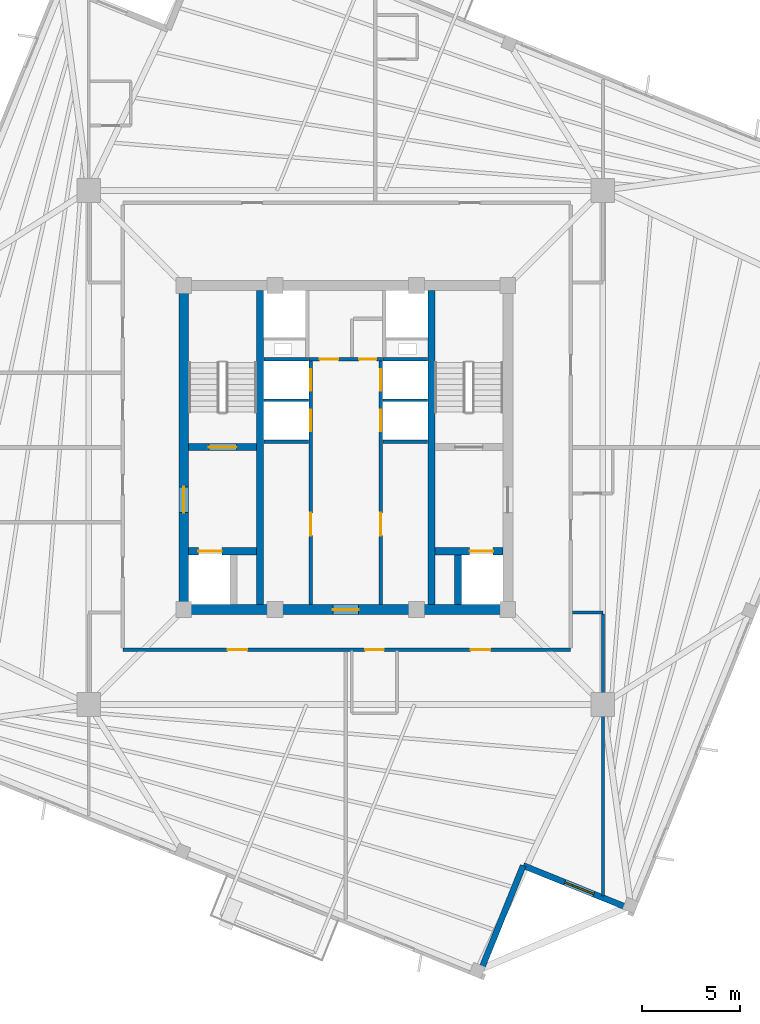
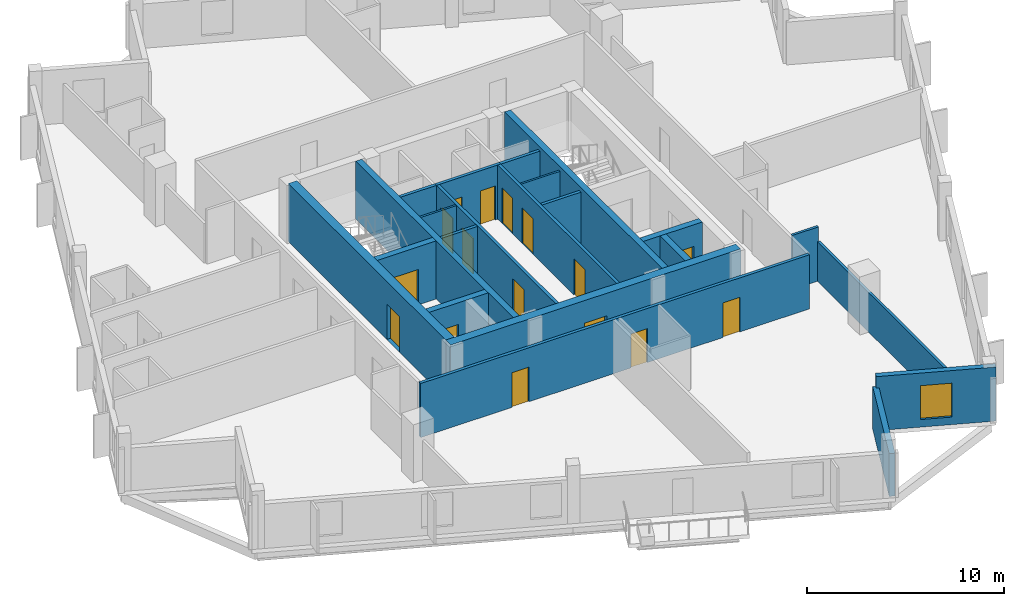
# One storey, part 3 of 8: 22 walls, 16 doors, 1 window, 17 openings.
"""IFC4 building model written with IfcOpenShell, lengths in metres."""

from ifc_helpers import new_model, si_unit, direction, frame, frame_2d, origin, place, context, subcontext, project, spatial, rectangle, extrude, source, transform, mapped, material, layer, layer_set, type_object, element, fill, save


model = new_model("IFC4")

# Units and contexts
model_context = context("Model", 3, precision=1e-05, world=origin(), true_north=direction((0.0, 1.0)))
body_context = subcontext(model_context, "Body", "Model", "MODEL_VIEW")
ifc_project = project(units=[si_unit("LENGTHUNIT", "METRE"), si_unit("AREAUNIT", "SQUARE_METRE"), si_unit("VOLUMEUNIT", "CUBIC_METRE"), si_unit("PLANEANGLEUNIT", "RADIAN"), si_unit("MASSUNIT", "GRAM", prefix="KILO"), si_unit("THERMODYNAMICTEMPERATUREUNIT", "KELVIN")], contexts=[model_context])

# Site, building, storey
site_placement = place(None, origin())
site = spatial("IfcSite", under=ifc_project, at=site_placement, CompositionType="ELEMENT")
building_placement = place(site_placement, origin())
building = spatial("IfcBuilding", under=site, at=building_placement, Name="Kosmvard Interchange Tower", CompositionType="ELEMENT")
storey_placement = place(building_placement, frame((0.0, 0.0, 286.800048828125)))
storey = spatial("IfcBuildingStorey", under=building, at=storey_placement, Name="L70", CompositionType="ELEMENT", Elevation=286.800048828125)

# Walls
ifc_material_1 = material(Name="Acoustic gypsum partition system")
ifc_layer_1 = layer(ifc_material_1, 0.14990234375, Name="Acoustic gypsum partition system")
ifc_layer_set_1 = layer_set([ifc_layer_1], Name="Acoustic gypsum partition system")
wall_type_1 = type_object("IfcWallType", Name="Acoustic Suite & Meeting Partition 150", PredefinedType="PARTITIONING", material=ifc_layer_set_1)
wall_1_placement = place(storey_placement, frame((11.544921875, -8.39990234375, 0.0), z_axis=(0.0, 0.0, 1.0), x_axis=(1.0, 0.0, 0.0)))
element("IfcWall", 1, at=wall_1_placement, inside=storey, type_object=wall_type_1, Name="L70 Room Partition 11.1", PredefinedType="PARTITIONING", context=body_context, shape_type="SweptSolid", body=[
    extrude(rectangle(XDim=1.5361328125, YDim=0.14990234375, at=frame_2d((0.76806640625, 0.0))), origin(), (0.0, 0.0, 1.0), 3.349853515625),
])
wall_2_placement = place(storey_placement, frame((13.0810546875, -8.47509765625, 0.0), z_axis=(0.0, 0.0, 1.0), x_axis=(0.0, -1.0, 0.0)))
element("IfcWall", 2, at=wall_2_placement, inside=storey, type_object=wall_type_1, Name="L70 Room Partition 12.1", PredefinedType="PARTITIONING", context=body_context, shape_type="SweptSolid", body=[
    extrude(rectangle(XDim=14.341552734375, YDim=0.14990234375, at=frame_2d((7.1708984375, 0.0))), origin(), (0.0, 0.0, 1.0), 2.449951171875),
])

# Wall, openings, doors
ifc_material_2 = material(Name="Fire-rated gypsum partition system")
ifc_layer_2 = layer(ifc_material_2, 0.179931640625, Name="Fire-rated gypsum partition system")
ifc_layer_set_2 = layer_set([ifc_layer_2], Name="Fire-rated gypsum partition system")
wall_type_2 = type_object("IfcWallType", Name="Corridor & Hotel Compartment Partition 180", PredefinedType="PARTITIONING", material=ifc_layer_set_2)
wall_3_placement = place(storey_placement, frame((-1.7900390625, -7.97998046875, 0.0), z_axis=(0.0, 0.0, 1.0), x_axis=(0.0, 1.0, 0.0)))
wall_3 = element("IfcWall", 3, at=wall_3_placement, inside=storey, type_object=wall_type_2, Name="L70 West Lift Bank Front Wall", PredefinedType="PARTITIONING", context=body_context, shape_type="SweptSolid", body=[
    extrude(rectangle(XDim=12.3798828125, YDim=0.179931640625, at=frame_2d((6.18994140625, 0.0))), origin(), (0.0, 0.0, 1.0), 3.349853515625),
])
opening_1_placement = place(wall_3_placement, frame((8.800048828125, 0.0, 0.0)))
opening_1 = element("IfcOpeningElement", 4, at=opening_1_placement, cuts=wall_3, Name="Opening LD-PL-H1-L70", PredefinedType="OPENING", context=body_context, shape_type="SweptSolid", body=[
    extrude(rectangle(XDim=1.10009765625, YDim=2.199951171875, at=frame_2d((0.550048828125, 1.10009765625))), frame((0.0, 0.10009765625, 0.0), z_axis=(0.0, -1.0, 0.0), x_axis=(1.0, 0.0, 0.0)), (0.0, 0.0, 1.0), 0.199951171875),
])
opening_2_placement = place(wall_3_placement, frame((10.860107421875, 0.0, 0.0)))
opening_2 = element("IfcOpeningElement", 5, at=opening_2_placement, cuts=wall_3, Name="Opening LD-PL-H2-L70", PredefinedType="OPENING", context=body_context, shape_type="SweptSolid", body=[
    extrude(rectangle(XDim=1.10009765625, YDim=2.199951171875, at=frame_2d((0.550048828125, 1.10009765625))), frame((0.0, 0.10009765625, 0.0), z_axis=(0.0, -1.0, 0.0), x_axis=(1.0, 0.0, 0.0)), (0.0, 0.0, 1.0), 0.199951171875),
])
opening_3_placement = place(wall_3_placement, frame((3.5, 0.0, 0.0)))
opening_3 = element("IfcOpeningElement", 6, at=opening_3_placement, cuts=wall_3, Name="Opening L70-CD1", PredefinedType="OPENING", context=body_context, shape_type="SweptSolid", body=[
    extrude(rectangle(XDim=1.14990234375, YDim=2.25, at=frame_2d((0.574951171875, 1.125))), frame((0.0, 0.10009765625, 0.0), z_axis=(0.0, -1.0, 0.0), x_axis=(1.0, 0.0, 0.0)), (0.0, 0.0, 1.0), 0.199951171875),
])
ifc_material_3 = material(Name="Painted fire-rated steel leaf", Category="steel")
door_type_1 = type_object("IfcDoorType", Name="Plant & Riser Fire Door 1150x2250 EI60", OperationType="NOTDEFINED", PredefinedType="DOOR", material=ifc_material_3)
shared_shape_1 = source(origin(), body_context, "Body", "SweptSolid", [
    extrude(rectangle(XDim=1.14990234375, YDim=2.25, at=frame_2d((0.574951171875, 1.125))), frame((0.0, 0.02490234375, 0.0), z_axis=(0.0, -1.0, 0.0), x_axis=(1.0, 0.0, 0.0)), (0.0, 0.0, 1.0), 0.050048828125),
])
door_1_placement = place(opening_3_placement, origin())
door_1 = element("IfcDoor", 7, at=door_1_placement, inside=storey, type_object=door_type_1, Name="L70 Core Facility Store Door", OperationType="SINGLE_SWING_LEFT", OverallHeight=2.25, OverallWidth=1.14990234375, PredefinedType="DOOR", context=body_context, shape_type="MappedRepresentation", body=[
    mapped(shared_shape_1, transform((0.0, 0.0, 0.0), scale=1.0)),
])
fill(opening_3, door_1)
ifc_material_4 = material(Name="Brushed stainless steel sliding leaf", Category="steel")
door_type_2 = type_object("IfcDoorType", Name="Passenger Lift Sliding Landing Door 1100x2200 EI60", OperationType="DOUBLE_DOOR_SLIDING", PredefinedType="DOOR", material=ifc_material_4)
shared_shape_2 = source(origin(), body_context, "Body", "SweptSolid", [
    extrude(rectangle(XDim=1.10009765625, YDim=2.199951171875, at=frame_2d((0.550048828125, 1.10009765625))), frame((0.0, 0.02490234375, 0.0), z_axis=(0.0, -1.0, 0.0), x_axis=(1.0, 0.0, 0.0)), (0.0, 0.0, 1.0), 0.050048828125),
])
door_2_placement = place(opening_1_placement, frame((1.10009765625, 0.0, 0.0), z_axis=(0.0, 0.0, 1.0), x_axis=(-1.0, 0.0, 0.0)))
door_2 = element("IfcDoor", 8, at=door_2_placement, inside=storey, type_object=door_type_2, Name="Lift PL-H1 Landing Door L70", OperationType="DOUBLE_DOOR_SLIDING", OverallHeight=2.199951171875, OverallWidth=1.10009765625, PredefinedType="DOOR", context=body_context, shape_type="MappedRepresentation", body=[
    mapped(shared_shape_2, transform((0.0, 0.0, 0.0), scale=1.0)),
])
fill(opening_1, door_2)
door_3_placement = place(opening_2_placement, frame((1.10009765625, 0.0, 0.0), z_axis=(0.0, 0.0, 1.0), x_axis=(-1.0, 0.0, 0.0)))
door_3 = element("IfcDoor", 9, at=door_3_placement, inside=storey, type_object=door_type_2, Name="Lift PL-H2 Landing Door L70", OperationType="DOUBLE_DOOR_SLIDING", OverallHeight=2.199951171875, OverallWidth=1.10009765625, PredefinedType="DOOR", context=body_context, shape_type="MappedRepresentation", body=[
    mapped(shared_shape_2, transform((0.0, 0.0, 0.0), scale=1.0)),
])
fill(opening_2, door_3)

wall_4_placement = place(storey_placement, frame((1.7900390625, -7.97998046875, 0.0), z_axis=(0.0, 0.0, 1.0), x_axis=(0.0, 1.0, 0.0)))
wall_4 = element("IfcWall", 10, at=wall_4_placement, inside=storey, type_object=wall_type_2, Name="L70 East Lift Bank Front Wall", PredefinedType="PARTITIONING", context=body_context, shape_type="SweptSolid", body=[
    extrude(rectangle(XDim=12.3798828125, YDim=0.179931640625, at=frame_2d((6.18994140625, 0.0))), origin(), (0.0, 0.0, 1.0), 3.349853515625),
])
opening_4_placement = place(wall_4_placement, frame((8.800048828125, 0.0, 0.0)))
opening_4 = element("IfcOpeningElement", 11, at=opening_4_placement, cuts=wall_4, Name="Opening LD-PL-H3-L70", PredefinedType="OPENING", context=body_context, shape_type="SweptSolid", body=[
    extrude(rectangle(XDim=1.10009765625, YDim=2.199951171875, at=frame_2d((0.550048828125, 1.10009765625))), frame((0.0, 0.10009765625, 0.0), z_axis=(0.0, -1.0, 0.0), x_axis=(1.0, 0.0, 0.0)), (0.0, 0.0, 1.0), 0.199951171875),
])
opening_5_placement = place(wall_4_placement, frame((10.860107421875, 0.0, 0.0)))
opening_5 = element("IfcOpeningElement", 12, at=opening_5_placement, cuts=wall_4, Name="Opening LD-PL-H4-L70", PredefinedType="OPENING", context=body_context, shape_type="SweptSolid", body=[
    extrude(rectangle(XDim=1.10009765625, YDim=2.199951171875, at=frame_2d((0.550048828125, 1.10009765625))), frame((0.0, 0.10009765625, 0.0), z_axis=(0.0, -1.0, 0.0), x_axis=(1.0, 0.0, 0.0)), (0.0, 0.0, 1.0), 0.199951171875),
])
opening_6_placement = place(wall_4_placement, frame((3.5, 0.0, 0.0)))
opening_6 = element("IfcOpeningElement", 13, at=opening_6_placement, cuts=wall_4, Name="Opening L70-CD2", PredefinedType="OPENING", context=body_context, shape_type="SweptSolid", body=[
    extrude(rectangle(XDim=1.14990234375, YDim=2.25, at=frame_2d((0.574951171875, 1.125))), frame((0.0, 0.10009765625, 0.0), z_axis=(0.0, -1.0, 0.0), x_axis=(1.0, 0.0, 0.0)), (0.0, 0.0, 1.0), 0.199951171875),
])
door_4_placement = place(opening_6_placement, frame((1.14990234375, 0.0, 0.0), z_axis=(0.0, 0.0, 1.0), x_axis=(-1.0, 0.0, 0.0)))
door_4 = element("IfcDoor", 14, at=door_4_placement, inside=storey, type_object=door_type_1, Name="L70 Core BMS UPS Door", OperationType="SINGLE_SWING_RIGHT", OverallHeight=2.25, OverallWidth=1.14990234375, PredefinedType="DOOR", context=body_context, shape_type="MappedRepresentation", body=[
    mapped(shared_shape_1, transform((0.0, 0.0, 0.0), scale=1.0)),
])
fill(opening_6, door_4)
door_5_placement = place(opening_4_placement, origin())
door_5 = element("IfcDoor", 15, at=door_5_placement, inside=storey, type_object=door_type_2, Name="Lift PL-H3 Landing Door L70", OperationType="DOUBLE_DOOR_SLIDING", OverallHeight=2.199951171875, OverallWidth=1.10009765625, PredefinedType="DOOR", context=body_context, shape_type="MappedRepresentation", body=[
    mapped(shared_shape_2, transform((0.0, 0.0, 0.0), scale=1.0)),
])
fill(opening_4, door_5)
door_6_placement = place(opening_5_placement, origin())
door_6 = element("IfcDoor", 16, at=door_6_placement, inside=storey, type_object=door_type_2, Name="Lift PL-H4 Landing Door L70", OperationType="DOUBLE_DOOR_SLIDING", OverallHeight=2.199951171875, OverallWidth=1.10009765625, PredefinedType="DOOR", context=body_context, shape_type="MappedRepresentation", body=[
    mapped(shared_shape_2, transform((0.0, 0.0, 0.0), scale=1.0)),
])
fill(opening_5, door_6)

wall_5_placement = place(storey_placement, frame((-1.8798828125, 4.489990234375, 0.0), z_axis=(0.0, 0.0, 1.0), x_axis=(1.0, 0.0, 0.0)))
wall_5 = element("IfcWall", 17, at=wall_5_placement, inside=storey, type_object=wall_type_2, Name="L70 Lift Lobby North Partition", PredefinedType="PARTITIONING", context=body_context, shape_type="SweptSolid", body=[
    extrude(rectangle(XDim=3.759765625, YDim=0.179931640625, at=frame_2d((1.8798828125, 0.0))), origin(), (0.0, 0.0, 1.0), 3.349853515625),
])
opening_7_placement = place(wall_5_placement, frame((0.550048828125, 0.0, 0.0)))
opening_7 = element("IfcOpeningElement", 18, at=opening_7_placement, cuts=wall_5, Name="Opening L70-KD1", PredefinedType="OPENING", context=body_context, shape_type="SweptSolid", body=[
    extrude(rectangle(XDim=0.949951171875, YDim=2.10009765625, at=frame_2d((0.47509765625, 1.050048828125))), frame((0.0, 0.10009765625, 0.0), z_axis=(0.0, -1.0, 0.0), x_axis=(1.0, 0.0, 0.0)), (0.0, 0.0, 1.0), 0.199951171875),
])
opening_8_placement = place(wall_5_placement, frame((2.56005859375, 0.0, 0.0)))
opening_8 = element("IfcOpeningElement", 19, at=opening_8_placement, cuts=wall_5, Name="Opening L70-KD2", PredefinedType="OPENING", context=body_context, shape_type="SweptSolid", body=[
    extrude(rectangle(XDim=0.8798828125, YDim=2.10009765625, at=frame_2d((0.43994140625, 1.050048828125))), frame((0.0, 0.10009765625, 0.0), z_axis=(0.0, -1.0, 0.0), x_axis=(1.0, 0.0, 0.0)), (0.0, 0.0, 1.0), 0.199951171875),
])
ifc_material_5 = material(Name="Painted fire-rated timber leaf", Category="wood")
door_type_3 = type_object("IfcDoorType", Name="Core Service Fire Door 950x2100 EI30", OperationType="NOTDEFINED", PredefinedType="DOOR", material=ifc_material_5)
shared_shape_3 = source(origin(), body_context, "Body", "SweptSolid", [
    extrude(rectangle(XDim=0.949951171875, YDim=2.10009765625, at=frame_2d((0.47509765625, 1.050048828125))), frame((0.0, 0.02490234375, 0.0), z_axis=(0.0, -1.0, 0.0), x_axis=(1.0, 0.0, 0.0)), (0.0, 0.0, 1.0), 0.050048828125),
])
door_7_placement = place(opening_7_placement, origin())
door_7 = element("IfcDoor", 20, at=door_7_placement, inside=storey, type_object=door_type_3, Name="L70 Core Archive Store Door", OperationType="SINGLE_SWING_LEFT", OverallHeight=2.10009765625, OverallWidth=0.949951171875, PredefinedType="DOOR", context=body_context, shape_type="MappedRepresentation", body=[
    mapped(shared_shape_3, transform((0.0, 0.0, 0.0), scale=1.0)),
])
fill(opening_7, door_7)
door_type_4 = type_object("IfcDoorType", Name="Core Cupboard Fire Door 880x2100 EI30", OperationType="NOTDEFINED", PredefinedType="DOOR", material=ifc_material_5)
shared_shape_4 = source(origin(), body_context, "Body", "SweptSolid", [
    extrude(rectangle(XDim=0.8798828125, YDim=2.10009765625, at=frame_2d((0.43994140625, 1.050048828125))), frame((0.0, 0.02490234375, 0.0), z_axis=(0.0, -1.0, 0.0), x_axis=(1.0, 0.0, 0.0)), (0.0, 0.0, 1.0), 0.050048828125),
])
door_8_placement = place(opening_8_placement, origin())
door_8 = element("IfcDoor", 21, at=door_8_placement, inside=storey, type_object=door_type_4, Name="L70 Core Supplies Cupboard Door", OperationType="SINGLE_SWING_RIGHT", OverallHeight=2.10009765625, OverallWidth=0.8798828125, PredefinedType="DOOR", context=body_context, shape_type="MappedRepresentation", body=[
    mapped(shared_shape_4, transform((0.0, 0.0, 0.0), scale=1.0)),
])
fill(opening_8, door_8)

wall_6_placement = place(storey_placement, frame((-11.35009765625, -10.300048828125, 0.0), z_axis=(0.0, 0.0, 1.0), x_axis=(1.0, 0.0, 0.0)))
wall_6 = element("IfcWall", 22, at=wall_6_placement, inside=storey, type_object=wall_type_2, Name="L70 Corridor Wall CS", PredefinedType="PARTITIONING", context=body_context, shape_type="SweptSolid", body=[
    extrude(rectangle(XDim=22.800048828125, YDim=0.179931640625, at=frame_2d((11.39990234375, 0.0))), origin(), (0.0, 0.0, 1.0), 3.349853515625),
])
opening_9_placement = place(wall_6_placement, frame((12.336181640625, 0.0, 0.0)))
opening_9 = element("IfcOpeningElement", 23, at=opening_9_placement, cuts=wall_6, Name="Opening L70-D01", PredefinedType="OPENING", context=body_context, shape_type="SweptSolid", body=[
    extrude(rectangle(XDim=0.949951171875, YDim=2.10009765625, at=frame_2d((0.47509765625, 1.050048828125))), frame((0.0, 0.10009765625, 0.0), z_axis=(0.0, -1.0, 0.0), x_axis=(1.0, 0.0, 0.0)), (0.0, 0.0, 1.0), 0.199951171875),
])
opening_10_placement = place(wall_6_placement, frame((17.7099609375, 0.0, 0.0)))
opening_10 = element("IfcOpeningElement", 24, at=opening_10_placement, cuts=wall_6, Name="Opening L70-D13", PredefinedType="OPENING", context=body_context, shape_type="SweptSolid", body=[
    extrude(rectangle(XDim=1.0, YDim=2.14990234375, at=frame_2d((0.5, 1.074951171875))), frame((0.0, 0.10009765625, 0.0), z_axis=(0.0, -1.0, 0.0), x_axis=(1.0, 0.0, 0.0)), (0.0, 0.0, 1.0), 0.199951171875),
])
opening_11_placement = place(wall_6_placement, frame((5.33935546875, 0.0, 0.0)))
opening_11 = element("IfcOpeningElement", 25, at=opening_11_placement, cuts=wall_6, Name="Opening L70-D14", PredefinedType="OPENING", context=body_context, shape_type="SweptSolid", body=[
    extrude(rectangle(XDim=1.0, YDim=2.14990234375, at=frame_2d((0.5, 1.074951171875))), frame((0.0, 0.10009765625, 0.0), z_axis=(0.0, -1.0, 0.0), x_axis=(1.0, 0.0, 0.0)), (0.0, 0.0, 1.0), 0.199951171875),
])
ifc_material_6 = material(Name="Laminated moisture-resistant timber", Category="wood")
door_type_5 = type_object("IfcDoorType", Name="Accessible Washroom Door 950x2100", OperationType="NOTDEFINED", PredefinedType="DOOR", material=ifc_material_6)
door_9_placement = place(opening_9_placement, frame((0.949951171875, 0.0, 0.0), z_axis=(0.0, 0.0, 1.0), x_axis=(-1.0, 0.0, 0.0)))
door_9 = element("IfcDoor", 26, at=door_9_placement, inside=storey, type_object=door_type_5, Name="L70 Accessible Guest Toilet Door", OperationType="SINGLE_SWING_LEFT", OverallHeight=2.10009765625, OverallWidth=0.949951171875, PredefinedType="DOOR", context=body_context, shape_type="MappedRepresentation", body=[
    mapped(shared_shape_3, transform((0.0, 0.0, 0.0), scale=1.0)),
])
fill(opening_9, door_9)
ifc_material_7 = material(Name="Engineered oak fire-rated timber", Category="wood")
door_type_6 = type_object("IfcDoorType", Name="Hotel Guestroom Entrance Door 1000x2150 EI60", OperationType="NOTDEFINED", PredefinedType="DOOR", material=ifc_material_7)
shared_shape_5 = source(origin(), body_context, "Body", "SweptSolid", [
    extrude(rectangle(XDim=1.0, YDim=2.14990234375, at=frame_2d((0.5, 1.074951171875))), frame((0.0, 0.02490234375, 0.0), z_axis=(0.0, -1.0, 0.0), x_axis=(1.0, 0.0, 0.0)), (0.0, 0.0, 1.0), 0.050048828125),
])
door_10_placement = place(opening_10_placement, frame((1.0, 0.0, 0.0), z_axis=(0.0, 0.0, 1.0), x_axis=(-1.0, 0.0, 0.0)))
door_10 = element("IfcDoor", 27, at=door_10_placement, inside=storey, type_object=door_type_6, Name="L70 Housekeeping and Linen Room Door", OperationType="SINGLE_SWING_LEFT", OverallHeight=2.14990234375, OverallWidth=1.0, PredefinedType="DOOR", context=body_context, shape_type="MappedRepresentation", body=[
    mapped(shared_shape_5, transform((0.0, 0.0, 0.0), scale=1.0)),
])
fill(opening_10, door_10)
door_11_placement = place(opening_11_placement, frame((1.0, 0.0, 0.0), z_axis=(0.0, 0.0, 1.0), x_axis=(-1.0, 0.0, 0.0)))
door_11 = element("IfcDoor", 28, at=door_11_placement, inside=storey, type_object=door_type_6, Name="L70 Hotel Servery Pantry Door", OperationType="SINGLE_SWING_RIGHT", OverallHeight=2.14990234375, OverallWidth=1.0, PredefinedType="DOOR", context=body_context, shape_type="MappedRepresentation", body=[
    mapped(shared_shape_5, transform((0.0, 0.0, 0.0), scale=1.0)),
])
fill(opening_11, door_11)

# Walls
ifc_material_8 = material(Name="Concrete blockwork masonry", Category="masonry")
ifc_layer_3 = layer(ifc_material_8, 0.179931640625, Name="Concrete blockwork masonry")
ifc_layer_set_3 = layer_set([ifc_layer_3], Name="Concrete blockwork masonry")
wall_type_3 = type_object("IfcWallType", Name="Riser & Lift Bank Divider Wall 180", PredefinedType="PARTITIONING", material=ifc_layer_set_3)
for number, where, z_axis, x_axis, name in (
    (29, (-4.169921875, 0.300048828125, 0.0), (0.0, 0.0, 1.0), (1.0, 0.0, 0.0), "L70 West Bank Divider BD2"),
    (30, (1.889892578125, 0.300048828125, 0.0), (0.0, 0.0, 1.0), (1.0, 0.0, 0.0), "L70 East Bank Divider BD2"),
    (31, (-4.169921875, 4.489990234375, 0.0), (0.0, 0.0, 1.0), (1.0, 0.0, 0.0), "L70 West Bank Divider BD3"),
    (32, (1.889892578125, 4.489990234375, 0.0), (0.0, 0.0, 1.0), (1.0, 0.0, 0.0), "L70 East Bank Divider BD3"),
):
    element("IfcWall", number, at=place(storey_placement, frame(where, z_axis=z_axis, x_axis=x_axis)), inside=storey, type_object=wall_type_3, Name=name, PredefinedType="PARTITIONING", context=body_context, shape_type="SweptSolid", body=[
        extrude(rectangle(XDim=2.280029296875, YDim=0.179931640625, at=frame_2d((1.14013671875, 0.0))), origin(), (0.0, 0.0, 1.0), 3.349853515625),
    ])
ifc_material_9 = material(Name="Fire-rated gypsum shaftwall system")
ifc_layer_4 = layer(ifc_material_9, 0.1201171875, Name="Fire-rated gypsum shaftwall system")
ifc_layer_set_4 = layer_set([ifc_layer_4], Name="Fire-rated gypsum shaftwall system")
wall_type_4 = type_object("IfcWallType", Name="Shaft & Riser Fire Partition 120 EI60", PredefinedType="PARTITIONING", material=ifc_layer_set_4)
for number, where, z_axis, x_axis, name in (
    (33, (-4.159912109375, 2.39990234375, 0.0), (0.0, 0.0, 1.0), (1.0, 0.0, 0.0), "L70 Shaft Divider PL-H1"),
    (34, (1.89990234375, 2.39990234375, 0.0), (0.0, 0.0, 1.0), (1.0, 0.0, 0.0), "L70 Shaft Divider PL-H3"),
):
    element("IfcWall", number, at=place(storey_placement, frame(where, z_axis=z_axis, x_axis=x_axis)), inside=storey, type_object=wall_type_4, Name=name, PredefinedType="PARTITIONING", context=body_context, shape_type="SweptSolid", body=[
        extrude(rectangle(XDim=2.260009765625, YDim=0.1201171875, at=frame_2d((1.1298828125, 0.0))), origin(), (0.0, 0.0, 1.0), 3.349853515625),
    ])
ifc_material_10 = material(Name="Concrete C60/75", Category="concrete")
ifc_layer_5 = layer(ifc_material_10, 0.360107421875, Name="Concrete C60/75")
ifc_layer_set_5 = layer_set([ifc_layer_5], Name="Concrete C60/75")
wall_type_5 = type_object("IfcWallType", Name="Stair & Lift Shaft Shear Wall 360 C60/75", PredefinedType="SHEAR", material=ifc_layer_set_5)
for number, where, z_axis, x_axis, name in (
    (35, (-4.360107421875, -8.0, 0.0), (0.0, 0.0, 1.0), (0.0, 1.0, 0.0), "L70 Shaft Shear Wall SW-W"),
    (36, (4.360107421875, -8.0, 0.0), (0.0, 0.0, 1.0), (0.0, 1.0, 0.0), "L70 Shaft Shear Wall SW-E"),
):
    element("IfcWall", number, at=place(storey_placement, frame(where, z_axis=z_axis, x_axis=x_axis)), inside=storey, type_object=wall_type_5, Name=name, PredefinedType="SHEAR", context=body_context, shape_type="SweptSolid", body=[
        extrude(rectangle(XDim=16.0, YDim=0.360107421875, at=frame_2d((8.0, 0.0))), origin(), (0.0, 0.0, 1.0), 3.599853515625),
    ])

# Wall, opening, door
wall_7_placement = place(storey_placement, frame((-8.0, 0.02001953125, 0.0), z_axis=(0.0, 0.0, 1.0), x_axis=(1.0, 0.0, 0.0)))
wall_7 = element("IfcWall", 37, at=wall_7_placement, inside=storey, type_object=wall_type_5, Name="L70 Shaft Shear Wall SW-ST1", PredefinedType="SHEAR", context=body_context, shape_type="SweptSolid", body=[
    extrude(rectangle(XDim=3.4599609375, YDim=0.360107421875, at=frame_2d((1.72998046875, 0.0))), origin(), (0.0, 0.0, 1.0), 3.599853515625),
])
opening_12_placement = place(wall_7_placement, frame((1.030029296875, 0.0, 0.0)))
opening_12 = element("IfcOpeningElement", 38, at=opening_12_placement, cuts=wall_7, Name="Opening L70-SD1", PredefinedType="OPENING", context=body_context, shape_type="SweptSolid", body=[
    extrude(rectangle(XDim=1.39990234375, YDim=2.199951171875, at=frame_2d((0.699951171875, 1.10009765625))), frame((0.0, 0.18994140625, 0.0), z_axis=(0.0, -1.0, 0.0), x_axis=(1.0, 0.0, 0.0)), (0.0, 0.0, 1.0), 0.380126953125),
])
door_type_7 = type_object("IfcDoorType", Name="Protected Stair Door 1400x2200 FD60S", OperationType="NOTDEFINED", PredefinedType="DOOR", material=ifc_material_3)
shared_shape_6 = source(origin(), body_context, "Body", "SweptSolid", [
    extrude(rectangle(XDim=1.39990234375, YDim=2.199951171875, at=frame_2d((0.699951171875, 1.10009765625))), frame((0.0, 0.02490234375, 0.0), z_axis=(0.0, -1.0, 0.0), x_axis=(1.0, 0.0, 0.0)), (0.0, 0.0, 1.0), 0.050048828125),
])
door_12_placement = place(opening_12_placement, origin())
door_12 = element("IfcDoor", 39, at=door_12_placement, inside=storey, type_object=door_type_7, Name="L70 Stair ST-1 Enclosure Door", OperationType="SINGLE_SWING_LEFT", OverallHeight=2.199951171875, OverallWidth=1.39990234375, PredefinedType="DOOR", context=body_context, shape_type="MappedRepresentation", body=[
    mapped(shared_shape_6, transform((0.0, 0.0, 0.0), scale=1.0)),
])
fill(opening_12, door_12)

wall_8_placement = place(storey_placement, frame((-8.0, -5.280029296875, 0.0), z_axis=(0.0, 0.0, 1.0), x_axis=(1.0, 0.0, 0.0)))
wall_8 = element("IfcWall", 40, at=wall_8_placement, inside=storey, type_object=wall_type_5, Name="L70 Shaft Shear Wall SW-FF1", PredefinedType="SHEAR", context=body_context, shape_type="SweptSolid", body=[
    extrude(rectangle(XDim=3.4599609375, YDim=0.360107421875, at=frame_2d((1.72998046875, 0.0))), origin(), (0.0, 0.0, 1.0), 3.599853515625),
])
opening_13_placement = place(wall_8_placement, frame((0.5, 0.0, 0.0)))
opening_13 = element("IfcOpeningElement", 41, at=opening_13_placement, cuts=wall_8, Name="Opening LD-FF-1-L70", PredefinedType="OPENING", context=body_context, shape_type="SweptSolid", body=[
    extrude(rectangle(XDim=1.199951171875, YDim=2.25, at=frame_2d((0.60009765625, 1.125))), frame((0.0, 0.18994140625, 0.0), z_axis=(0.0, -1.0, 0.0), x_axis=(1.0, 0.0, 0.0)), (0.0, 0.0, 1.0), 0.380126953125),
])
door_type_8 = type_object("IfcDoorType", Name="Firefighting Lift Sliding Landing Door 1200x2250 EI120", OperationType="DOUBLE_DOOR_SLIDING", PredefinedType="DOOR", material=ifc_material_4)
shared_shape_7 = source(origin(), body_context, "Body", "SweptSolid", [
    extrude(rectangle(XDim=1.199951171875, YDim=2.25, at=frame_2d((0.60009765625, 1.125))), frame((0.0, 0.02490234375, 0.0), z_axis=(0.0, -1.0, 0.0), x_axis=(1.0, 0.0, 0.0)), (0.0, 0.0, 1.0), 0.050048828125),
])
door_13_placement = place(opening_13_placement, origin())
door_13 = element("IfcDoor", 42, at=door_13_placement, inside=storey, type_object=door_type_8, Name="Lift FF-1 Landing Door L70", OperationType="DOUBLE_DOOR_SLIDING", OverallHeight=2.25, OverallWidth=1.199951171875, PredefinedType="DOOR", context=body_context, shape_type="MappedRepresentation", body=[
    mapped(shared_shape_7, transform((0.0, 0.0, 0.0), scale=1.0)),
])
fill(opening_13, door_13)

wall_9_placement = place(storey_placement, frame((4.5400390625, -5.280029296875, 0.0), z_axis=(0.0, 0.0, 1.0), x_axis=(1.0, 0.0, 0.0)))
wall_9 = element("IfcWall", 43, at=wall_9_placement, inside=storey, type_object=wall_type_5, Name="L70 Shaft Shear Wall SW-FF2", PredefinedType="SHEAR", context=body_context, shape_type="SweptSolid", body=[
    extrude(rectangle(XDim=3.4599609375, YDim=0.360107421875, at=frame_2d((1.72998046875, 0.0))), origin(), (0.0, 0.0, 1.0), 3.599853515625),
])
opening_14_placement = place(wall_9_placement, frame((1.760009765625, 0.0, 0.0)))
opening_14 = element("IfcOpeningElement", 44, at=opening_14_placement, cuts=wall_9, Name="Opening LD-FF-2-L70", PredefinedType="OPENING", context=body_context, shape_type="SweptSolid", body=[
    extrude(rectangle(XDim=1.199951171875, YDim=2.25, at=frame_2d((0.60009765625, 1.125))), frame((0.0, 0.18994140625, 0.0), z_axis=(0.0, -1.0, 0.0), x_axis=(1.0, 0.0, 0.0)), (0.0, 0.0, 1.0), 0.380126953125),
])
door_14_placement = place(opening_14_placement, origin())
door_14 = element("IfcDoor", 45, at=door_14_placement, inside=storey, type_object=door_type_8, Name="Lift FF-2 Landing Door L70", OperationType="DOUBLE_DOOR_SLIDING", OverallHeight=2.25, OverallWidth=1.199951171875, PredefinedType="DOOR", context=body_context, shape_type="MappedRepresentation", body=[
    mapped(shared_shape_7, transform((0.0, 0.0, 0.0), scale=1.0)),
])
fill(opening_14, door_14)

# Wall
wall_10_placement = place(storey_placement, frame((5.7099609375, -8.0, 0.0), z_axis=(0.0, 0.0, 1.0), x_axis=(0.0, 1.0, 0.0)))
element("IfcWall", 46, at=wall_10_placement, inside=storey, type_object=wall_type_5, Name="L70 Shaft Shear Wall SW-SM2", PredefinedType="SHEAR", context=body_context, shape_type="SweptSolid", body=[
    extrude(rectangle(XDim=2.5400390625, YDim=0.360107421875, at=frame_2d((1.27001953125, 0.0))), origin(), (0.0, 0.0, 1.0), 3.599853515625),
])

# Wall, opening, door
ifc_layer_6 = layer(ifc_material_10, 0.5, Name="Concrete C60/75")
ifc_layer_set_6 = layer_set([ifc_layer_6], Name="Concrete C60/75")
wall_type_6 = type_object("IfcWallType", Name="Upper Core Shear Wall 500 C60/75", PredefinedType="SHEAR", material=ifc_layer_set_6)
wall_11_placement = place(storey_placement, frame((-8.5, -8.25, 0.0), z_axis=(0.0, 0.0, 1.0), x_axis=(1.0, 0.0, 0.0)))
wall_11 = element("IfcWall", 47, at=wall_11_placement, inside=storey, type_object=wall_type_6, Name="L70 Core Shear Wall CW-S", PredefinedType="SHEAR", context=body_context, shape_type="SweptSolid", body=[
    extrude(rectangle(XDim=17.0, YDim=0.5, at=frame_2d((8.5, 0.0))), origin(), (0.0, 0.0, 1.0), 3.599853515625),
])
opening_15_placement = place(wall_11_placement, frame((7.85009765625, 0.0, 0.0)))
opening_15 = element("IfcOpeningElement", 48, at=opening_15_placement, cuts=wall_11, Name="Opening L70-LD0", PredefinedType="OPENING", context=body_context, shape_type="SweptSolid", body=[
    extrude(rectangle(XDim=1.300048828125, YDim=2.199951171875, at=frame_2d((0.64990234375, 1.10009765625))), frame((0.0, 0.260009765625, 0.0), z_axis=(0.0, -1.0, 0.0), x_axis=(1.0, 0.0, 0.0)), (0.0, 0.0, 1.0), 0.52001953125),
])
door_type_9 = type_object("IfcDoorType", Name="Firefighting Lobby Door 1300x2200 EI60", OperationType="NOTDEFINED", PredefinedType="DOOR", material=ifc_material_3)
shared_shape_8 = source(origin(), body_context, "Body", "SweptSolid", [
    extrude(rectangle(XDim=1.300048828125, YDim=2.199951171875, at=frame_2d((0.64990234375, 1.10009765625))), frame((0.0, 0.02490234375, 0.0), z_axis=(0.0, -1.0, 0.0), x_axis=(1.0, 0.0, 0.0)), (0.0, 0.0, 1.0), 0.050048828125),
])
door_15_placement = place(opening_15_placement, frame((1.300048828125, 0.0, 0.0), z_axis=(0.0, 0.0, 1.0), x_axis=(-1.0, 0.0, 0.0)))
door_15 = element("IfcDoor", 49, at=door_15_placement, inside=storey, type_object=door_type_9, Name="L70 Passenger Lift Lobby South Door", OperationType="SINGLE_SWING_RIGHT", OverallHeight=2.199951171875, OverallWidth=1.300048828125, PredefinedType="DOOR", context=body_context, shape_type="MappedRepresentation", body=[
    mapped(shared_shape_8, transform((0.0, 0.0, 0.0), scale=1.0)),
])
fill(opening_15, door_15)

wall_12_placement = place(storey_placement, frame((-8.25, -8.0, 0.0), z_axis=(0.0, 0.0, 1.0), x_axis=(0.0, 1.0, 0.0)))
wall_12 = element("IfcWall", 50, at=wall_12_placement, inside=storey, type_object=wall_type_6, Name="L70 Core Shear Wall CW-W", PredefinedType="SHEAR", context=body_context, shape_type="SweptSolid", body=[
    extrude(rectangle(XDim=16.0, YDim=0.5, at=frame_2d((8.0, 0.0))), origin(), (0.0, 0.0, 1.0), 3.599853515625),
])
opening_16_placement = place(wall_12_placement, frame((4.68994140625, 0.0, 0.0)))
opening_16 = element("IfcOpeningElement", 51, at=opening_16_placement, cuts=wall_12, Name="Opening L70-FD1", PredefinedType="OPENING", context=body_context, shape_type="SweptSolid", body=[
    extrude(rectangle(XDim=1.300048828125, YDim=2.199951171875, at=frame_2d((0.64990234375, 1.10009765625))), frame((0.0, 0.260009765625, 0.0), z_axis=(0.0, -1.0, 0.0), x_axis=(1.0, 0.0, 0.0)), (0.0, 0.0, 1.0), 0.52001953125),
])
door_16_placement = place(opening_16_placement, frame((1.300048828125, 0.0, 0.0), z_axis=(0.0, 0.0, 1.0), x_axis=(-1.0, 0.0, 0.0)))
door_16 = element("IfcDoor", 52, at=door_16_placement, inside=storey, type_object=door_type_9, Name="L70 Firefighting Lobby West Door", OperationType="SINGLE_SWING_LEFT", OverallHeight=2.199951171875, OverallWidth=1.300048828125, PredefinedType="DOOR", context=body_context, shape_type="MappedRepresentation", body=[
    mapped(shared_shape_8, transform((0.0, 0.0, 0.0), scale=1.0)),
])
fill(opening_16, door_16)

# Wall
ifc_material_11 = material(Name="Precast concrete C45/55", Category="concrete")
ifc_layer_7 = layer(ifc_material_11, 0.31005859375, Name="Precast concrete C45/55")
ifc_layer_set_7 = layer_set([ifc_layer_7], Name="Precast concrete C45/55")
wall_type_7 = type_object("IfcWallType", Name="Upper Tower Precast Pier Wall 310 C45/55", PredefinedType="STANDARD", material=ifc_layer_set_7)
wall_13_placement = place(storey_placement, frame((6.7841796875, -26.8408203125, 0.0), z_axis=(0.0, 0.0, 1.0), x_axis=(0.374636620962, 0.927171722085, 0.0)))
element("IfcWall", 53, at=wall_13_placement, inside=storey, type_object=wall_type_7, Name="L70 Precast Facade Wall N-SW1", PredefinedType="STANDARD", context=body_context, shape_type="SweptSolid", body=[
    extrude(rectangle(XDim=6.0, YDim=0.31005859375, at=frame_2d((3.0, 0.0))), origin(), (0.0, 0.0, 1.0), 2.64990234375),
])

# Wall, opening, window
wall_14_placement = place(storey_placement, frame((9.031982421875, -21.27783203125, 0.0), z_axis=(0.0, 0.0, 1.0), x_axis=(0.927185411764, -0.374602739196, 0.0)))
wall_14 = element("IfcWall", 54, at=wall_14_placement, inside=storey, type_object=wall_type_7, Name="L70 Precast Facade Wall N-SW2", PredefinedType="STANDARD", context=body_context, shape_type="SweptSolid", body=[
    extrude(rectangle(XDim=6.155029296875, YDim=0.31005859375, at=frame_2d((3.07763671875, 0.0))), origin(), (0.0, 0.0, 1.0), 3.349853515625),
])
opening_17_placement = place(wall_14_placement, frame((2.277587890625, 0.0, 0.469970703125)))
opening_17 = element("IfcOpeningElement", 55, at=opening_17_placement, cuts=wall_14, Name="Opening L70-W22", PredefinedType="OPENING", context=body_context, shape_type="SweptSolid", body=[
    extrude(rectangle(XDim=1.60009765625, YDim=2.10009765625, at=frame_2d((0.800048828125, 1.050048828125))), frame((0.0, 0.1650390625, 0.0), z_axis=(0.0, -1.0, 0.0), x_axis=(1.0, 0.0, 0.0)), (0.0, 0.0, 1.0), 0.330078125),
])
ifc_material_12 = material(Name="Low-E acoustic double glazing", Category="glass")
window_type = type_object("IfcWindowType", Name="Zone 5 Hotel Punched Window 1600x2100", PartitioningType="SINGLE_PANEL", PredefinedType="WINDOW", material=ifc_material_12)
shared_shape_9 = source(origin(), body_context, "Body", "SweptSolid", [
    extrude(rectangle(XDim=1.60009765625, YDim=2.10009765625, at=frame_2d((0.800048828125, 1.050048828125))), frame((0.0, 0.030029296875, 0.0), z_axis=(0.0, -1.0, 0.0), x_axis=(1.0, 0.0, 0.0)), (0.0, 0.0, 1.0), 0.06005859375),
])
window_placement = place(opening_17_placement, origin())
window = element("IfcWindow", 56, at=window_placement, inside=storey, type_object=window_type, Name="L70 Corner Notch Window 22", OverallHeight=2.10009765625, OverallWidth=1.60009765625, PartitioningType="SINGLE_PANEL", PredefinedType="WINDOW", context=body_context, shape_type="MappedRepresentation", body=[
    mapped(shared_shape_9, transform((0.0, 0.0, 0.0), scale=1.0)),
])
fill(opening_17, window)

save(model, "model.ifc")
